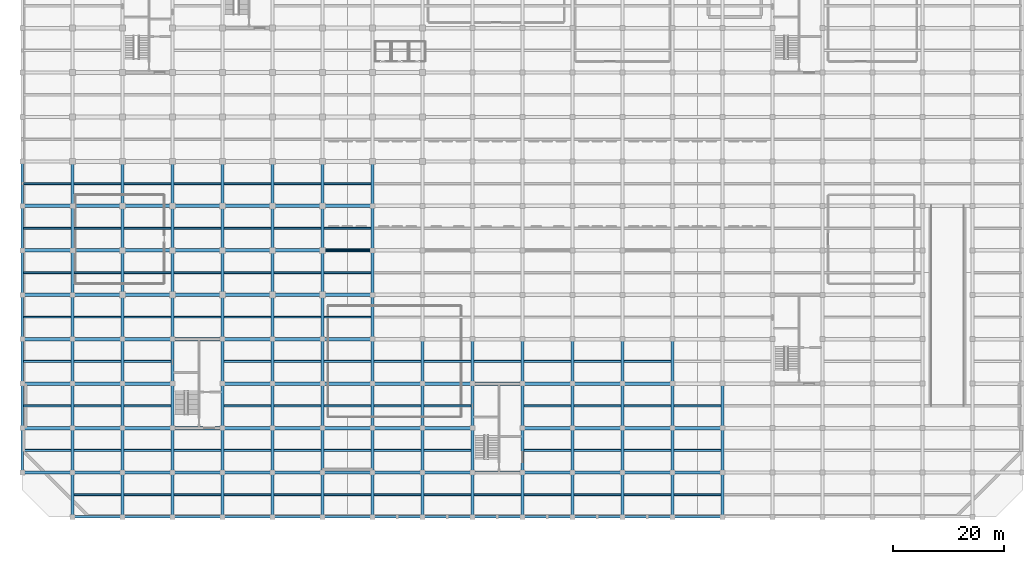
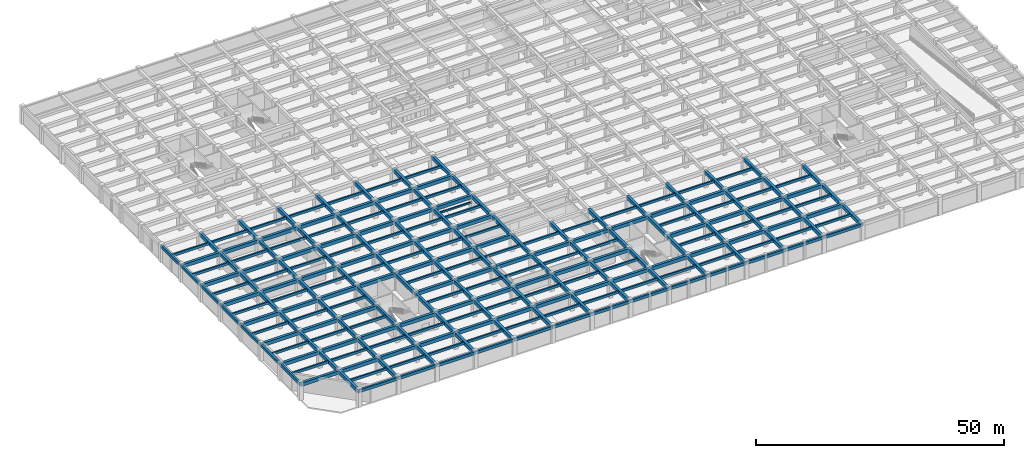
# One storey, part 4 of 26: 249 beams.
"""IFC4 building model written with IfcOpenShell, lengths in metres."""

from ifc_helpers import new_model, si_unit, direction, frame, origin, origin_2d, place, context, subcontext, project, spatial, rectangle, extrude, material, material_profile, profile_set, type_object, element, save


model = new_model("IFC4")

# Units and contexts
model_context = context("Model", 3, precision=1e-05, world=origin(), true_north=direction((0.0, 1.0)))
body_context = subcontext(model_context, "Body", "Model", "MODEL_VIEW")
ifc_project = project(units=[si_unit("LENGTHUNIT", "METRE"), si_unit("AREAUNIT", "SQUARE_METRE"), si_unit("VOLUMEUNIT", "CUBIC_METRE"), si_unit("PLANEANGLEUNIT", "RADIAN"), si_unit("MASSUNIT", "GRAM", prefix="KILO")], contexts=[model_context])

# Site, building, storey
site_placement = place(None, origin())
site = spatial("IfcSite", under=ifc_project, at=site_placement, CompositionType="ELEMENT")
building_placement = place(site_placement, origin())
building = spatial("IfcBuilding", under=site, at=building_placement, Name="Zaverband Oceanarium and Marine Research Institute", CompositionType="ELEMENT")
storey_placement = place(building_placement, frame((0.0, 0.0, -4.5)))
storey = spatial("IfcBuildingStorey", under=building, at=storey_placement, Name="B1", CompositionType="ELEMENT", Elevation=-4.5)

# Beams
ifc_material = material(Name="Concrete C40/50", Category="concrete")
ifc_material_profile_1 = material_profile(ifc_material, rectangle(XDim=0.60009765625, YDim=0.85009765625, at=origin_2d()), Name="RC600x850")
ifc_profile_set_1 = profile_set([ifc_material_profile_1], Name="Concrete C40/50")
beam_type_1 = type_object("IfcBeamType", Name="BM-600x850", PredefinedType="BEAM", material=ifc_profile_set_1)
for number, where, z_axis, x_axis, name in (
    (1, (0.0, 8.0, 3.72509765625), (1.0, 0.0, 0.0), (0.0, 1.0, 0.0), "Primary floor girder BM-600x850"),
    (2, (9.0, 8.0, 3.72509765625), (1.0, 0.0, 0.0), (0.0, 1.0, 0.0), "Primary floor girder BM-600x850"),
    (3, (18.0, 8.0, 3.72509765625), (1.0, 0.0, 0.0), (0.0, 1.0, 0.0), "Primary floor girder BM-600x850"),
    (4, (27.0, 8.0, 3.72509765625), (1.0, 0.0, 0.0), (0.0, 1.0, 0.0), "Primary floor girder BM-600x850"),
    (5, (36.0, 8.0, 3.72509765625), (1.0, 0.0, 0.0), (0.0, 1.0, 0.0), "Primary floor girder BM-600x850"),
    (6, (45.0, 8.0, 3.72509765625), (1.0, 0.0, 0.0), (0.0, 1.0, 0.0), "Primary floor girder BM-600x850"),
    (7, (54.0, 8.0, 3.72509765625), (1.0, 0.0, 0.0), (0.0, 1.0, 0.0), "Primary floor girder BM-600x850"),
    (8, (63.0, 8.0, 3.72509765625), (1.0, 0.0, 0.0), (0.0, 1.0, 0.0), "Primary floor girder BM-600x850"),
    (9, (72.0, 8.0, 3.72509765625), (1.0, 0.0, 0.0), (0.0, 1.0, 0.0), "Primary floor girder BM-600x850"),
    (10, (81.0, 8.0, 3.72509765625), (1.0, 0.0, 0.0), (0.0, 1.0, 0.0), "Primary floor girder BM-600x850"),
    (11, (90.0, 8.0, 3.72509765625), (1.0, 0.0, 0.0), (0.0, 1.0, 0.0), "Primary floor girder BM-600x850"),
    (12, (99.0, 8.0, 3.72509765625), (1.0, 0.0, 0.0), (0.0, 1.0, 0.0), "Primary floor girder BM-600x850"),
    (13, (108.0, 8.0, 3.72509765625), (1.0, 0.0, 0.0), (0.0, 1.0, 0.0), "Primary floor girder BM-600x850"),
    (14, (117.0, 8.0, 3.72509765625), (1.0, 0.0, 0.0), (0.0, 1.0, 0.0), "Primary floor girder BM-600x850"),
    (15, (0.0, 16.0, 3.72509765625), (1.0, 0.0, 0.0), (0.0, 1.0, 0.0), "Primary floor girder BM-600x850"),
    (16, (9.0, 16.0, 3.72509765625), (1.0, 0.0, 0.0), (0.0, 1.0, 0.0), "Primary floor girder BM-600x850"),
    (17, (18.0, 16.0, 3.72509765625), (1.0, 0.0, 0.0), (0.0, 1.0, 0.0), "Primary floor girder BM-600x850"),
    (18, (27.0, 16.0, 3.72509765625), (1.0, 0.0, 0.0), (0.0, 1.0, 0.0), "Primary floor girder BM-600x850"),
    (19, (36.0, 16.0, 3.72509765625), (1.0, 0.0, 0.0), (0.0, 1.0, 0.0), "Primary floor girder BM-600x850"),
    (20, (45.0, 16.0, 3.72509765625), (1.0, 0.0, 0.0), (0.0, 1.0, 0.0), "Primary floor girder BM-600x850"),
    (21, (54.0, 16.0, 3.72509765625), (1.0, 0.0, 0.0), (0.0, 1.0, 0.0), "Primary floor girder BM-600x850"),
    (22, (63.0, 16.0, 3.72509765625), (1.0, 0.0, 0.0), (0.0, 1.0, 0.0), "Primary floor girder BM-600x850"),
    (23, (72.0, 16.0, 3.72509765625), (1.0, 0.0, 0.0), (0.0, 1.0, 0.0), "Primary floor girder BM-600x850"),
    (24, (90.0, 16.0, 3.72509765625), (1.0, 0.0, 0.0), (0.0, 1.0, 0.0), "Primary floor girder BM-600x850"),
    (25, (99.0, 16.0, 3.72509765625), (1.0, 0.0, 0.0), (0.0, 1.0, 0.0), "Primary floor girder BM-600x850"),
    (26, (108.0, 16.0, 3.72509765625), (1.0, 0.0, 0.0), (0.0, 1.0, 0.0), "Primary floor girder BM-600x850"),
    (27, (117.0, 16.0, 3.72509765625), (1.0, 0.0, 0.0), (0.0, 1.0, 0.0), "Primary floor girder BM-600x850"),
    (28, (0.0, 24.0, 3.72509765625), (1.0, 0.0, 0.0), (0.0, 1.0, 0.0), "Primary floor girder BM-600x850"),
    (29, (9.0, 24.0, 3.72509765625), (1.0, 0.0, 0.0), (0.0, 1.0, 0.0), "Primary floor girder BM-600x850"),
    (30, (18.0, 24.0, 3.72509765625), (1.0, 0.0, 0.0), (0.0, 1.0, 0.0), "Primary floor girder BM-600x850"),
    (31, (36.0, 24.0, 3.72509765625), (1.0, 0.0, 0.0), (0.0, 1.0, 0.0), "Primary floor girder BM-600x850"),
    (32, (45.0, 24.0, 3.72509765625), (1.0, 0.0, 0.0), (0.0, 1.0, 0.0), "Primary floor girder BM-600x850"),
    (33, (54.0, 24.0, 3.72509765625), (1.0, 0.0, 0.0), (0.0, 1.0, 0.0), "Primary floor girder BM-600x850"),
    (34, (63.0, 24.0, 3.72509765625), (1.0, 0.0, 0.0), (0.0, 1.0, 0.0), "Primary floor girder BM-600x850"),
    (35, (72.0, 24.0, 3.72509765625), (1.0, 0.0, 0.0), (0.0, 1.0, 0.0), "Primary floor girder BM-600x850"),
    (36, (81.0, 24.0, 3.72509765625), (1.0, 0.0, 0.0), (0.0, 1.0, 0.0), "Primary floor girder BM-600x850"),
    (37, (90.0, 24.0, 3.72509765625), (1.0, 0.0, 0.0), (0.0, 1.0, 0.0), "Primary floor girder BM-600x850"),
    (38, (99.0, 24.0, 3.72509765625), (1.0, 0.0, 0.0), (0.0, 1.0, 0.0), "Primary floor girder BM-600x850"),
    (39, (108.0, 24.0, 3.72509765625), (1.0, 0.0, 0.0), (0.0, 1.0, 0.0), "Primary floor girder BM-600x850"),
    (40, (0.0, 32.0, 3.72509765625), (1.0, 0.0, 0.0), (0.0, 1.0, 0.0), "Primary floor girder BM-600x850"),
    (41, (9.0, 32.0, 3.72509765625), (1.0, 0.0, 0.0), (0.0, 1.0, 0.0), "Primary floor girder BM-600x850"),
    (42, (18.0, 32.0, 3.72509765625), (1.0, 0.0, 0.0), (0.0, 1.0, 0.0), "Primary floor girder BM-600x850"),
    (43, (27.0, 32.0, 3.72509765625), (1.0, 0.0, 0.0), (0.0, 1.0, 0.0), "Primary floor girder BM-600x850"),
    (44, (36.0, 32.0, 3.72509765625), (1.0, 0.0, 0.0), (0.0, 1.0, 0.0), "Primary floor girder BM-600x850"),
    (45, (45.0, 32.0, 3.72509765625), (1.0, 0.0, 0.0), (0.0, 1.0, 0.0), "Primary floor girder BM-600x850"),
    (46, (54.0, 32.0, 3.72509765625), (1.0, 0.0, 0.0), (0.0, 1.0, 0.0), "Primary floor girder BM-600x850"),
    (47, (0.0, 40.0, 3.72509765625), (1.0, 0.0, 0.0), (0.0, 1.0, 0.0), "Primary floor girder BM-600x850"),
    (48, (9.0, 40.0, 3.72509765625), (1.0, 0.0, 0.0), (0.0, 1.0, 0.0), "Primary floor girder BM-600x850"),
    (49, (18.0, 40.0, 3.72509765625), (1.0, 0.0, 0.0), (0.0, 1.0, 0.0), "Primary floor girder BM-600x850"),
    (50, (27.0, 40.0, 3.72509765625), (1.0, 0.0, 0.0), (0.0, 1.0, 0.0), "Primary floor girder BM-600x850"),
    (51, (36.0, 40.0, 3.72509765625), (1.0, 0.0, 0.0), (0.0, 1.0, 0.0), "Primary floor girder BM-600x850"),
    (52, (45.0, 40.0, 3.72509765625), (1.0, 0.0, 0.0), (0.0, 1.0, 0.0), "Primary floor girder BM-600x850"),
    (53, (54.0, 40.0, 3.72509765625), (1.0, 0.0, 0.0), (0.0, 1.0, 0.0), "Primary floor girder BM-600x850"),
    (54, (0.0, 48.0, 3.72509765625), (1.0, 0.0, 0.0), (0.0, 1.0, 0.0), "Primary floor girder BM-600x850"),
    (55, (9.0, 48.0, 3.72509765625), (1.0, 0.0, 0.0), (0.0, 1.0, 0.0), "Primary floor girder BM-600x850"),
    (56, (18.0, 48.0, 3.72509765625), (1.0, 0.0, 0.0), (0.0, 1.0, 0.0), "Primary floor girder BM-600x850"),
    (57, (27.0, 48.0, 3.72509765625), (1.0, 0.0, 0.0), (0.0, 1.0, 0.0), "Primary floor girder BM-600x850"),
    (58, (36.0, 48.0, 3.72509765625), (1.0, 0.0, 0.0), (0.0, 1.0, 0.0), "Primary floor girder BM-600x850"),
    (59, (45.0, 48.0, 3.72509765625), (1.0, 0.0, 0.0), (0.0, 1.0, 0.0), "Primary floor girder BM-600x850"),
    (60, (54.0, 48.0, 3.72509765625), (1.0, 0.0, 0.0), (0.0, 1.0, 0.0), "Primary floor girder BM-600x850"),
    (61, (0.0, 56.0, 3.72509765625), (1.0, 0.0, 0.0), (0.0, 1.0, 0.0), "Primary floor girder BM-600x850"),
    (62, (9.0, 56.0, 3.72509765625), (1.0, 0.0, 0.0), (0.0, 1.0, 0.0), "Primary floor girder BM-600x850"),
    (63, (18.0, 56.0, 3.72509765625), (1.0, 0.0, 0.0), (0.0, 1.0, 0.0), "Primary floor girder BM-600x850"),
    (64, (27.0, 56.0, 3.72509765625), (1.0, 0.0, 0.0), (0.0, 1.0, 0.0), "Primary floor girder BM-600x850"),
    (65, (36.0, 56.0, 3.72509765625), (1.0, 0.0, 0.0), (0.0, 1.0, 0.0), "Primary floor girder BM-600x850"),
    (66, (45.0, 56.0, 3.72509765625), (1.0, 0.0, 0.0), (0.0, 1.0, 0.0), "Primary floor girder BM-600x850"),
    (67, (54.0, 56.0, 3.72509765625), (1.0, 0.0, 0.0), (0.0, 1.0, 0.0), "Primary floor girder BM-600x850"),
):
    element("IfcBeam", number, at=place(storey_placement, frame(where, z_axis=z_axis, x_axis=x_axis)), inside=storey, type_object=beam_type_1, Name=name, PredefinedType="BEAM", context=body_context, shape_type="SweptSolid", body=[
        extrude(rectangle(XDim=0.60009765625, YDim=0.85009765625, at=origin_2d()), origin(), (0.0, 0.0, 1.0), 9.0),
    ])
for number, where, z_axis, x_axis, name in (
    (68, (9.0, 0.0, 3.72509765625), (0.0, 1.0, 0.0), (-1.0, 0.0, 0.0), "Primary floor girder BM-600x850"),
    (69, (9.0, 8.0, 3.72509765625), (0.0, 1.0, 0.0), (-1.0, 0.0, 0.0), "Primary floor girder BM-600x850"),
    (70, (9.0, 16.0, 3.72509765625), (0.0, 1.0, 0.0), (-1.0, 0.0, 0.0), "Primary floor girder BM-600x850"),
    (71, (9.0, 24.0, 3.72509765625), (0.0, 1.0, 0.0), (-1.0, 0.0, 0.0), "Primary floor girder BM-600x850"),
    (72, (9.0, 32.0, 3.72509765625), (0.0, 1.0, 0.0), (-1.0, 0.0, 0.0), "Primary floor girder BM-600x850"),
    (73, (9.0, 40.0, 3.72509765625), (0.0, 1.0, 0.0), (-1.0, 0.0, 0.0), "Primary floor girder BM-600x850"),
    (74, (9.0, 48.0, 3.72509765625), (0.0, 1.0, 0.0), (-1.0, 0.0, 0.0), "Primary floor girder BM-600x850"),
    (75, (9.0, 56.0, 3.72509765625), (0.0, 1.0, 0.0), (-1.0, 0.0, 0.0), "Primary floor girder BM-600x850"),
    (76, (18.0, 0.0, 3.72509765625), (0.0, 1.0, 0.0), (-1.0, 0.0, 0.0), "Primary floor girder BM-600x850"),
    (77, (18.0, 8.0, 3.72509765625), (0.0, 1.0, 0.0), (-1.0, 0.0, 0.0), "Primary floor girder BM-600x850"),
    (78, (18.0, 16.0, 3.72509765625), (0.0, 1.0, 0.0), (-1.0, 0.0, 0.0), "Primary floor girder BM-600x850"),
    (79, (18.0, 24.0, 3.72509765625), (0.0, 1.0, 0.0), (-1.0, 0.0, 0.0), "Primary floor girder BM-600x850"),
    (80, (18.0, 32.0, 3.72509765625), (0.0, 1.0, 0.0), (-1.0, 0.0, 0.0), "Primary floor girder BM-600x850"),
    (81, (18.0, 40.0, 3.72509765625), (0.0, 1.0, 0.0), (-1.0, 0.0, 0.0), "Primary floor girder BM-600x850"),
    (82, (18.0, 48.0, 3.72509765625), (0.0, 1.0, 0.0), (-1.0, 0.0, 0.0), "Primary floor girder BM-600x850"),
    (83, (18.0, 56.0, 3.72509765625), (0.0, 1.0, 0.0), (-1.0, 0.0, 0.0), "Primary floor girder BM-600x850"),
    (84, (27.0, 0.0, 3.72509765625), (0.0, 1.0, 0.0), (-1.0, 0.0, 0.0), "Primary floor girder BM-600x850"),
    (85, (27.0, 8.0, 3.72509765625), (0.0, 1.0, 0.0), (-1.0, 0.0, 0.0), "Primary floor girder BM-600x850"),
    (86, (27.0, 16.0, 3.72509765625), (0.0, 1.0, 0.0), (-1.0, 0.0, 0.0), "Primary floor girder BM-600x850"),
    (87, (27.0, 24.0, 3.72509765625), (0.0, 1.0, 0.0), (-1.0, 0.0, 0.0), "Primary floor girder BM-600x850"),
    (88, (27.0, 32.0, 3.72509765625), (0.0, 1.0, 0.0), (-1.0, 0.0, 0.0), "Primary floor girder BM-600x850"),
    (89, (27.0, 40.0, 3.72509765625), (0.0, 1.0, 0.0), (-1.0, 0.0, 0.0), "Primary floor girder BM-600x850"),
    (90, (27.0, 48.0, 3.72509765625), (0.0, 1.0, 0.0), (-1.0, 0.0, 0.0), "Primary floor girder BM-600x850"),
    (91, (27.0, 56.0, 3.72509765625), (0.0, 1.0, 0.0), (-1.0, 0.0, 0.0), "Primary floor girder BM-600x850"),
    (92, (36.0, 0.0, 3.72509765625), (0.0, 1.0, 0.0), (-1.0, 0.0, 0.0), "Primary floor girder BM-600x850"),
    (93, (36.0, 8.0, 3.72509765625), (0.0, 1.0, 0.0), (-1.0, 0.0, 0.0), "Primary floor girder BM-600x850"),
    (94, (36.0, 16.0, 3.72509765625), (0.0, 1.0, 0.0), (-1.0, 0.0, 0.0), "Primary floor girder BM-600x850"),
    (95, (36.0, 24.0, 3.72509765625), (0.0, 1.0, 0.0), (-1.0, 0.0, 0.0), "Primary floor girder BM-600x850"),
    (96, (36.0, 32.0, 3.72509765625), (0.0, 1.0, 0.0), (-1.0, 0.0, 0.0), "Primary floor girder BM-600x850"),
    (97, (36.0, 40.0, 3.72509765625), (0.0, 1.0, 0.0), (-1.0, 0.0, 0.0), "Primary floor girder BM-600x850"),
    (98, (36.0, 48.0, 3.72509765625), (0.0, 1.0, 0.0), (-1.0, 0.0, 0.0), "Primary floor girder BM-600x850"),
    (99, (36.0, 56.0, 3.72509765625), (0.0, 1.0, 0.0), (-1.0, 0.0, 0.0), "Primary floor girder BM-600x850"),
    (100, (45.0, 0.0, 3.72509765625), (0.0, 1.0, 0.0), (-1.0, 0.0, 0.0), "Primary floor girder BM-600x850"),
    (101, (45.0, 8.0, 3.72509765625), (0.0, 1.0, 0.0), (-1.0, 0.0, 0.0), "Primary floor girder BM-600x850"),
    (102, (45.0, 16.0, 3.72509765625), (0.0, 1.0, 0.0), (-1.0, 0.0, 0.0), "Primary floor girder BM-600x850"),
    (103, (45.0, 24.0, 3.72509765625), (0.0, 1.0, 0.0), (-1.0, 0.0, 0.0), "Primary floor girder BM-600x850"),
    (104, (45.0, 32.0, 3.72509765625), (0.0, 1.0, 0.0), (-1.0, 0.0, 0.0), "Primary floor girder BM-600x850"),
    (105, (45.0, 40.0, 3.72509765625), (0.0, 1.0, 0.0), (-1.0, 0.0, 0.0), "Primary floor girder BM-600x850"),
    (106, (45.0, 48.0, 3.72509765625), (0.0, 1.0, 0.0), (-1.0, 0.0, 0.0), "Primary floor girder BM-600x850"),
    (107, (45.0, 56.0, 3.72509765625), (0.0, 1.0, 0.0), (-1.0, 0.0, 0.0), "Primary floor girder BM-600x850"),
    (108, (54.0, 0.0, 3.72509765625), (0.0, 1.0, 0.0), (-1.0, 0.0, 0.0), "Primary floor girder BM-600x850"),
    (109, (54.0, 8.0, 3.72509765625), (0.0, 1.0, 0.0), (-1.0, 0.0, 0.0), "Primary floor girder BM-600x850"),
    (110, (54.0, 16.0, 3.72509765625), (0.0, 1.0, 0.0), (-1.0, 0.0, 0.0), "Primary floor girder BM-600x850"),
    (111, (54.0, 24.0, 3.72509765625), (0.0, 1.0, 0.0), (-1.0, 0.0, 0.0), "Primary floor girder BM-600x850"),
    (112, (54.0, 32.0, 3.72509765625), (0.0, 1.0, 0.0), (-1.0, 0.0, 0.0), "Primary floor girder BM-600x850"),
    (113, (54.0, 40.0, 3.72509765625), (0.0, 1.0, 0.0), (-1.0, 0.0, 0.0), "Primary floor girder BM-600x850"),
    (114, (54.0, 48.0, 3.72509765625), (0.0, 1.0, 0.0), (-1.0, 0.0, 0.0), "Primary floor girder BM-600x850"),
    (115, (54.0, 56.0, 3.72509765625), (0.0, 1.0, 0.0), (-1.0, 0.0, 0.0), "Primary floor girder BM-600x850"),
    (116, (63.0, 0.0, 3.72509765625), (0.0, 1.0, 0.0), (-1.0, 0.0, 0.0), "Primary floor girder BM-600x850"),
    (117, (63.0, 8.0, 3.72509765625), (0.0, 1.0, 0.0), (-1.0, 0.0, 0.0), "Primary floor girder BM-600x850"),
    (118, (63.0, 16.0, 3.72509765625), (0.0, 1.0, 0.0), (-1.0, 0.0, 0.0), "Primary floor girder BM-600x850"),
    (119, (63.0, 24.0, 3.72509765625), (0.0, 1.0, 0.0), (-1.0, 0.0, 0.0), "Primary floor girder BM-600x850"),
    (120, (63.0, 32.0, 3.72509765625), (0.0, 1.0, 0.0), (-1.0, 0.0, 0.0), "Primary floor girder BM-600x850"),
    (121, (63.0, 40.0, 3.72509765625), (0.0, 1.0, 0.0), (-1.0, 0.0, 0.0), "Primary floor girder BM-600x850"),
    (122, (63.0, 48.0, 3.72509765625), (0.0, 1.0, 0.0), (-1.0, 0.0, 0.0), "Primary floor girder BM-600x850"),
    (123, (63.0, 56.0, 3.72509765625), (0.0, 1.0, 0.0), (-1.0, 0.0, 0.0), "Primary floor girder BM-600x850"),
    (124, (72.0, 0.0, 3.72509765625), (0.0, 1.0, 0.0), (-1.0, 0.0, 0.0), "Primary floor girder BM-600x850"),
    (125, (72.0, 8.0, 3.72509765625), (0.0, 1.0, 0.0), (-1.0, 0.0, 0.0), "Primary floor girder BM-600x850"),
    (126, (72.0, 16.0, 3.72509765625), (0.0, 1.0, 0.0), (-1.0, 0.0, 0.0), "Primary floor girder BM-600x850"),
    (127, (72.0, 24.0, 3.72509765625), (0.0, 1.0, 0.0), (-1.0, 0.0, 0.0), "Primary floor girder BM-600x850"),
    (128, (81.0, 0.0, 3.72509765625), (0.0, 1.0, 0.0), (-1.0, 0.0, 0.0), "Primary floor girder BM-600x850"),
    (129, (81.0, 8.0, 3.72509765625), (0.0, 1.0, 0.0), (-1.0, 0.0, 0.0), "Primary floor girder BM-600x850"),
    (130, (81.0, 16.0, 3.72509765625), (0.0, 1.0, 0.0), (-1.0, 0.0, 0.0), "Primary floor girder BM-600x850"),
    (131, (81.0, 24.0, 3.72509765625), (0.0, 1.0, 0.0), (-1.0, 0.0, 0.0), "Primary floor girder BM-600x850"),
    (132, (90.0, 0.0, 3.72509765625), (0.0, 1.0, 0.0), (-1.0, 0.0, 0.0), "Primary floor girder BM-600x850"),
    (133, (90.0, 8.0, 3.72509765625), (0.0, 1.0, 0.0), (-1.0, 0.0, 0.0), "Primary floor girder BM-600x850"),
    (134, (90.0, 16.0, 3.72509765625), (0.0, 1.0, 0.0), (-1.0, 0.0, 0.0), "Primary floor girder BM-600x850"),
    (135, (90.0, 24.0, 3.72509765625), (0.0, 1.0, 0.0), (-1.0, 0.0, 0.0), "Primary floor girder BM-600x850"),
    (136, (99.0, 0.0, 3.72509765625), (0.0, 1.0, 0.0), (-1.0, 0.0, 0.0), "Primary floor girder BM-600x850"),
    (137, (99.0, 8.0, 3.72509765625), (0.0, 1.0, 0.0), (-1.0, 0.0, 0.0), "Primary floor girder BM-600x850"),
    (138, (99.0, 16.0, 3.72509765625), (0.0, 1.0, 0.0), (-1.0, 0.0, 0.0), "Primary floor girder BM-600x850"),
    (139, (99.0, 24.0, 3.72509765625), (0.0, 1.0, 0.0), (-1.0, 0.0, 0.0), "Primary floor girder BM-600x850"),
    (140, (108.0, 0.0, 3.72509765625), (0.0, 1.0, 0.0), (-1.0, 0.0, 0.0), "Primary floor girder BM-600x850"),
    (141, (108.0, 8.0, 3.72509765625), (0.0, 1.0, 0.0), (-1.0, 0.0, 0.0), "Primary floor girder BM-600x850"),
    (142, (108.0, 16.0, 3.72509765625), (0.0, 1.0, 0.0), (-1.0, 0.0, 0.0), "Primary floor girder BM-600x850"),
    (143, (108.0, 24.0, 3.72509765625), (0.0, 1.0, 0.0), (-1.0, 0.0, 0.0), "Primary floor girder BM-600x850"),
    (144, (117.0, 0.0, 3.72509765625), (0.0, 1.0, 0.0), (-1.0, 0.0, 0.0), "Primary floor girder BM-600x850"),
    (145, (117.0, 8.0, 3.72509765625), (0.0, 1.0, 0.0), (-1.0, 0.0, 0.0), "Primary floor girder BM-600x850"),
    (146, (117.0, 16.0, 3.72509765625), (0.0, 1.0, 0.0), (-1.0, 0.0, 0.0), "Primary floor girder BM-600x850"),
    (147, (117.0, 24.0, 3.72509765625), (0.0, 1.0, 0.0), (-1.0, 0.0, 0.0), "Primary floor girder BM-600x850"),
    (148, (126.0, 0.0, 3.72509765625), (0.0, 1.0, 0.0), (-1.0, 0.0, 0.0), "Primary floor girder BM-600x850"),
    (149, (126.0, 8.0, 3.72509765625), (0.0, 1.0, 0.0), (-1.0, 0.0, 0.0), "Primary floor girder BM-600x850"),
    (150, (126.0, 16.0, 3.72509765625), (0.0, 1.0, 0.0), (-1.0, 0.0, 0.0), "Primary floor girder BM-600x850"),
):
    element("IfcBeam", number, at=place(storey_placement, frame(where, z_axis=z_axis, x_axis=x_axis)), inside=storey, type_object=beam_type_1, Name=name, PredefinedType="BEAM", context=body_context, shape_type="SweptSolid", body=[
        extrude(rectangle(XDim=0.60009765625, YDim=0.85009765625, at=origin_2d()), origin(), (0.0, 0.0, 1.0), 8.0),
    ])
ifc_material_profile_2 = material_profile(ifc_material, rectangle(XDim=0.35009765625, YDim=0.60009765625, at=origin_2d()), Name="RC350x600")
ifc_profile_set_2 = profile_set([ifc_material_profile_2], Name="Concrete C40/50")
beam_type_2 = type_object("IfcBeamType", Name="JST-350x600", PredefinedType="JOIST", material=ifc_profile_set_2)
for number, where, z_axis, x_axis, name in (
    (151, (0.22509765625, 12.0, 3.85009765625), (1.0, 0.0, 0.0), (0.0, 1.0, 0.0), "Secondary floor joist JST-350x600"),
    (152, (0.22509765625, 20.0, 3.85009765625), (1.0, 0.0, 0.0), (0.0, 1.0, 0.0), "Secondary floor joist JST-350x600"),
    (153, (0.22509765625, 28.0, 3.85009765625), (1.0, 0.0, 0.0), (0.0, 1.0, 0.0), "Secondary floor joist JST-350x600"),
    (154, (0.22509765625, 36.0, 3.85009765625), (1.0, 0.0, 0.0), (0.0, 1.0, 0.0), "Secondary floor joist JST-350x600"),
    (155, (0.22509765625, 44.0, 3.85009765625), (1.0, 0.0, 0.0), (0.0, 1.0, 0.0), "Secondary floor joist JST-350x600"),
    (156, (0.22509765625, 52.0, 3.85009765625), (1.0, 0.0, 0.0), (0.0, 1.0, 0.0), "Secondary floor joist JST-350x600"),
    (157, (0.22509765625, 60.0, 3.85009765625), (1.0, 0.0, 0.0), (0.0, 1.0, 0.0), "Secondary floor joist JST-350x600"),
):
    element("IfcBeam", number, at=place(storey_placement, frame(where, z_axis=z_axis, x_axis=x_axis)), inside=storey, type_object=beam_type_2, Name=name, PredefinedType="JOIST", context=body_context, shape_type="SweptSolid", body=[
        extrude(rectangle(XDim=0.35009765625, YDim=0.60009765625, at=origin_2d()), origin(), (0.0, 0.0, 1.0), 8.474853515625),
    ])
for number, where, z_axis, x_axis, name in (
    (158, (9.300048828125, 4.0, 3.85009765625), (1.0, 0.0, 0.0), (0.0, 1.0, 0.0), "Secondary floor joist JST-350x600"),
    (159, (9.300048828125, 12.0, 3.85009765625), (1.0, 0.0, 0.0), (0.0, 1.0, 0.0), "Secondary floor joist JST-350x600"),
    (160, (9.300048828125, 20.0, 3.85009765625), (1.0, 0.0, 0.0), (0.0, 1.0, 0.0), "Secondary floor joist JST-350x600"),
    (161, (9.300048828125, 28.0, 3.85009765625), (1.0, 0.0, 0.0), (0.0, 1.0, 0.0), "Secondary floor joist JST-350x600"),
    (162, (9.300048828125, 36.0, 3.85009765625), (1.0, 0.0, 0.0), (0.0, 1.0, 0.0), "Secondary floor joist JST-350x600"),
    (163, (9.300048828125, 44.0, 3.85009765625), (1.0, 0.0, 0.0), (0.0, 1.0, 0.0), "Secondary floor joist JST-350x600"),
    (164, (9.300048828125, 52.0, 3.85009765625), (1.0, 0.0, 0.0), (0.0, 1.0, 0.0), "Secondary floor joist JST-350x600"),
    (165, (9.300048828125, 60.0, 3.85009765625), (1.0, 0.0, 0.0), (0.0, 1.0, 0.0), "Secondary floor joist JST-350x600"),
    (166, (18.300048828125, 4.0, 3.85009765625), (1.0, 0.0, 0.0), (0.0, 1.0, 0.0), "Secondary floor joist JST-350x600"),
    (167, (18.300048828125, 12.0, 3.85009765625), (1.0, 0.0, 0.0), (0.0, 1.0, 0.0), "Secondary floor joist JST-350x600"),
    (168, (18.300048828125, 20.0, 3.85009765625), (1.0, 0.0, 0.0), (0.0, 1.0, 0.0), "Secondary floor joist JST-350x600"),
    (169, (18.300048828125, 28.0, 3.85009765625), (1.0, 0.0, 0.0), (0.0, 1.0, 0.0), "Secondary floor joist JST-350x600"),
    (170, (18.300048828125, 36.0, 3.85009765625), (1.0, 0.0, 0.0), (0.0, 1.0, 0.0), "Secondary floor joist JST-350x600"),
    (171, (18.300048828125, 44.0, 3.85009765625), (1.0, 0.0, 0.0), (0.0, 1.0, 0.0), "Secondary floor joist JST-350x600"),
    (172, (18.300048828125, 52.0, 3.85009765625), (1.0, 0.0, 0.0), (0.0, 1.0, 0.0), "Secondary floor joist JST-350x600"),
    (173, (18.300048828125, 60.0, 3.85009765625), (1.0, 0.0, 0.0), (0.0, 1.0, 0.0), "Secondary floor joist JST-350x600"),
    (174, (27.300048828125, 4.0, 3.85009765625), (1.0, 0.0, 0.0), (0.0, 1.0, 0.0), "Secondary floor joist JST-350x600"),
    (175, (27.300048828125, 12.0, 3.85009765625), (1.0, 0.0, 0.0), (0.0, 1.0, 0.0), "Secondary floor joist JST-350x600"),
    (176, (27.300048828125, 36.0, 3.85009765625), (1.0, 0.0, 0.0), (0.0, 1.0, 0.0), "Secondary floor joist JST-350x600"),
    (177, (27.300048828125, 44.0, 3.85009765625), (1.0, 0.0, 0.0), (0.0, 1.0, 0.0), "Secondary floor joist JST-350x600"),
    (178, (27.300048828125, 52.0, 3.85009765625), (1.0, 0.0, 0.0), (0.0, 1.0, 0.0), "Secondary floor joist JST-350x600"),
    (179, (27.300048828125, 60.0, 3.85009765625), (1.0, 0.0, 0.0), (0.0, 1.0, 0.0), "Secondary floor joist JST-350x600"),
    (180, (36.300048828125, 4.0, 3.85009765625), (1.0, 0.0, 0.0), (0.0, 1.0, 0.0), "Secondary floor joist JST-350x600"),
    (181, (36.300048828125, 12.0, 3.85009765625), (1.0, 0.0, 0.0), (0.0, 1.0, 0.0), "Secondary floor joist JST-350x600"),
    (182, (36.300048828125, 20.0, 3.85009765625), (1.0, 0.0, 0.0), (0.0, 1.0, 0.0), "Secondary floor joist JST-350x600"),
    (183, (36.300048828125, 28.0, 3.85009765625), (1.0, 0.0, 0.0), (0.0, 1.0, 0.0), "Secondary floor joist JST-350x600"),
    (184, (36.300048828125, 36.0, 3.85009765625), (1.0, 0.0, 0.0), (0.0, 1.0, 0.0), "Secondary floor joist JST-350x600"),
    (185, (36.300048828125, 44.0, 3.85009765625), (1.0, 0.0, 0.0), (0.0, 1.0, 0.0), "Secondary floor joist JST-350x600"),
    (186, (36.300048828125, 52.0, 3.85009765625), (1.0, 0.0, 0.0), (0.0, 1.0, 0.0), "Secondary floor joist JST-350x600"),
    (187, (36.300048828125, 60.0, 3.85009765625), (1.0, 0.0, 0.0), (0.0, 1.0, 0.0), "Secondary floor joist JST-350x600"),
    (188, (45.300048828125, 4.0, 3.85009765625), (1.0, 0.0, 0.0), (0.0, 1.0, 0.0), "Secondary floor joist JST-350x600"),
    (189, (45.300048828125, 12.0, 3.85009765625), (1.0, 0.0, 0.0), (0.0, 1.0, 0.0), "Secondary floor joist JST-350x600"),
    (190, (45.300048828125, 20.0, 3.85009765625), (1.0, 0.0, 0.0), (0.0, 1.0, 0.0), "Secondary floor joist JST-350x600"),
    (191, (45.300048828125, 28.0, 3.85009765625), (1.0, 0.0, 0.0), (0.0, 1.0, 0.0), "Secondary floor joist JST-350x600"),
    (192, (45.300048828125, 36.0, 3.85009765625), (1.0, 0.0, 0.0), (0.0, 1.0, 0.0), "Secondary floor joist JST-350x600"),
    (193, (45.300048828125, 44.0, 3.85009765625), (1.0, 0.0, 0.0), (0.0, 1.0, 0.0), "Secondary floor joist JST-350x600"),
    (194, (45.300048828125, 52.0, 3.85009765625), (1.0, 0.0, 0.0), (0.0, 1.0, 0.0), "Secondary floor joist JST-350x600"),
    (195, (45.300048828125, 60.0, 3.85009765625), (1.0, 0.0, 0.0), (0.0, 1.0, 0.0), "Secondary floor joist JST-350x600"),
    (196, (54.300048828125, 4.0, 3.85009765625), (1.0, 0.0, 0.0), (0.0, 1.0, 0.0), "Secondary floor joist JST-350x600"),
    (197, (54.300048828125, 12.0, 3.85009765625), (1.0, 0.0, 0.0), (0.0, 1.0, 0.0), "Secondary floor joist JST-350x600"),
    (198, (54.300048828125, 20.0, 3.85009765625), (1.0, 0.0, 0.0), (0.0, 1.0, 0.0), "Secondary floor joist JST-350x600"),
    (199, (54.300048828125, 28.0, 3.85009765625), (1.0, 0.0, 0.0), (0.0, 1.0, 0.0), "Secondary floor joist JST-350x600"),
    (200, (54.300048828125, 36.0, 3.85009765625), (1.0, 0.0, 0.0), (0.0, 1.0, 0.0), "Secondary floor joist JST-350x600"),
    (201, (54.300048828125, 44.0, 3.85009765625), (1.0, 0.0, 0.0), (0.0, 1.0, 0.0), "Secondary floor joist JST-350x600"),
    (202, (54.300048828125, 52.0, 3.85009765625), (1.0, 0.0, 0.0), (0.0, 1.0, 0.0), "Secondary floor joist JST-350x600"),
    (203, (54.300048828125, 60.0, 3.85009765625), (1.0, 0.0, 0.0), (0.0, 1.0, 0.0), "Secondary floor joist JST-350x600"),
    (204, (63.300048828125, 4.0, 3.85009765625), (1.0, 0.0, 0.0), (0.0, 1.0, 0.0), "Secondary floor joist JST-350x600"),
    (205, (63.300048828125, 12.0, 3.85009765625), (1.0, 0.0, 0.0), (0.0, 1.0, 0.0), "Secondary floor joist JST-350x600"),
    (206, (63.300048828125, 20.0, 3.85009765625), (1.0, 0.0, 0.0), (0.0, 1.0, 0.0), "Secondary floor joist JST-350x600"),
    (207, (63.300048828125, 28.0, 3.85009765625), (1.0, 0.0, 0.0), (0.0, 1.0, 0.0), "Secondary floor joist JST-350x600"),
    (208, (72.300048828125, 4.0, 3.85009765625), (1.0, 0.0, 0.0), (0.0, 1.0, 0.0), "Secondary floor joist JST-350x600"),
    (209, (72.300048828125, 12.0, 3.85009765625), (1.0, 0.0, 0.0), (0.0, 1.0, 0.0), "Secondary floor joist JST-350x600"),
    (210, (72.300048828125, 20.0, 3.85009765625), (1.0, 0.0, 0.0), (0.0, 1.0, 0.0), "Secondary floor joist JST-350x600"),
    (211, (72.300048828125, 28.0, 3.85009765625), (1.0, 0.0, 0.0), (0.0, 1.0, 0.0), "Secondary floor joist JST-350x600"),
    (212, (81.300048828125, 4.0, 3.85009765625), (1.0, 0.0, 0.0), (0.0, 1.0, 0.0), "Secondary floor joist JST-350x600"),
    (213, (81.300048828125, 28.0, 3.85009765625), (1.0, 0.0, 0.0), (0.0, 1.0, 0.0), "Secondary floor joist JST-350x600"),
    (214, (90.300048828125, 4.0, 3.85009765625), (1.0, 0.0, 0.0), (0.0, 1.0, 0.0), "Secondary floor joist JST-350x600"),
    (215, (90.300048828125, 12.0, 3.85009765625), (1.0, 0.0, 0.0), (0.0, 1.0, 0.0), "Secondary floor joist JST-350x600"),
    (216, (90.300048828125, 20.0, 3.85009765625), (1.0, 0.0, 0.0), (0.0, 1.0, 0.0), "Secondary floor joist JST-350x600"),
    (217, (90.300048828125, 28.0, 3.85009765625), (1.0, 0.0, 0.0), (0.0, 1.0, 0.0), "Secondary floor joist JST-350x600"),
    (218, (99.300048828125, 4.0, 3.85009765625), (1.0, 0.0, 0.0), (0.0, 1.0, 0.0), "Secondary floor joist JST-350x600"),
    (219, (99.300048828125, 12.0, 3.85009765625), (1.0, 0.0, 0.0), (0.0, 1.0, 0.0), "Secondary floor joist JST-350x600"),
    (220, (99.300048828125, 20.0, 3.85009765625), (1.0, 0.0, 0.0), (0.0, 1.0, 0.0), "Secondary floor joist JST-350x600"),
    (221, (99.300048828125, 28.0, 3.85009765625), (1.0, 0.0, 0.0), (0.0, 1.0, 0.0), "Secondary floor joist JST-350x600"),
    (222, (108.300048828125, 4.0, 3.85009765625), (1.0, 0.0, 0.0), (0.0, 1.0, 0.0), "Secondary floor joist JST-350x600"),
    (223, (108.300048828125, 12.0, 3.85009765625), (1.0, 0.0, 0.0), (0.0, 1.0, 0.0), "Secondary floor joist JST-350x600"),
    (224, (108.300048828125, 20.0, 3.85009765625), (1.0, 0.0, 0.0), (0.0, 1.0, 0.0), "Secondary floor joist JST-350x600"),
    (225, (108.300048828125, 28.0, 3.85009765625), (1.0, 0.0, 0.0), (0.0, 1.0, 0.0), "Secondary floor joist JST-350x600"),
    (226, (117.300048828125, 4.0, 3.85009765625), (1.0, 0.0, 0.0), (0.0, 1.0, 0.0), "Secondary floor joist JST-350x600"),
    (227, (117.300048828125, 12.0, 3.85009765625), (1.0, 0.0, 0.0), (0.0, 1.0, 0.0), "Secondary floor joist JST-350x600"),
    (228, (117.300048828125, 20.0, 3.85009765625), (1.0, 0.0, 0.0), (0.0, 1.0, 0.0), "Secondary floor joist JST-350x600"),
):
    element("IfcBeam", number, at=place(storey_placement, frame(where, z_axis=z_axis, x_axis=x_axis)), inside=storey, type_object=beam_type_2, Name=name, PredefinedType="JOIST", context=body_context, shape_type="SweptSolid", body=[
        extrude(rectangle(XDim=0.35009765625, YDim=0.60009765625, at=origin_2d()), origin(), (0.0, 0.0, 1.0), 8.39990234375),
    ])
ifc_material_profile_3 = material_profile(ifc_material, rectangle(XDim=0.300048828125, YDim=0.39990234375, at=origin_2d()), Name="RC300x400")
ifc_profile_set_3 = profile_set([ifc_material_profile_3], Name="Concrete C40/50")
beam_type_3 = type_object("IfcBeamType", Name="LNT-300x400", PredefinedType="LINTEL", material=ifc_profile_set_3)
beam_placement = place(storey_placement, frame((54.0, 48.0, 2.25), z_axis=(1.0, 0.0, 0.0), x_axis=(0.0, 1.0, 0.0)))
element("IfcBeam", 229, at=beam_placement, inside=storey, type_object=beam_type_3, Name="Opening lintel beam LNT-300x400", PredefinedType="LINTEL", context=body_context, shape_type="SweptSolid", body=[
    extrude(rectangle(XDim=0.300048828125, YDim=0.39990234375, at=origin_2d()), origin(), (0.0, 0.0, 1.0), 9.0),
])
ifc_material_profile_4 = material_profile(ifc_material, rectangle(XDim=0.449951171875, YDim=0.699951171875, at=origin_2d()), Name="RC450x700")
ifc_profile_set_4 = profile_set([ifc_material_profile_4], Name="Concrete C40/50")
beam_type_4 = type_object("IfcBeamType", Name="SPN-450x700", PredefinedType="SPANDREL", material=ifc_profile_set_4)
for number, where, z_axis, x_axis, name in (
    (230, (9.0, 0.0, 3.800048828125), (1.0, 0.0, 0.0), (0.0, 1.0, 0.0), "Perimeter spandrel beam SPN-450x700"),
    (231, (18.0, 0.0, 3.800048828125), (1.0, 0.0, 0.0), (0.0, 1.0, 0.0), "Perimeter spandrel beam SPN-450x700"),
    (232, (27.0, 0.0, 3.800048828125), (1.0, 0.0, 0.0), (0.0, 1.0, 0.0), "Perimeter spandrel beam SPN-450x700"),
    (233, (36.0, 0.0, 3.800048828125), (1.0, 0.0, 0.0), (0.0, 1.0, 0.0), "Perimeter spandrel beam SPN-450x700"),
    (234, (45.0, 0.0, 3.800048828125), (1.0, 0.0, 0.0), (0.0, 1.0, 0.0), "Perimeter spandrel beam SPN-450x700"),
    (235, (54.0, 0.0, 3.800048828125), (1.0, 0.0, 0.0), (0.0, 1.0, 0.0), "Perimeter spandrel beam SPN-450x700"),
    (236, (63.0, 0.0, 3.800048828125), (1.0, 0.0, 0.0), (0.0, 1.0, 0.0), "Perimeter spandrel beam SPN-450x700"),
    (237, (72.0, 0.0, 3.800048828125), (1.0, 0.0, 0.0), (0.0, 1.0, 0.0), "Perimeter spandrel beam SPN-450x700"),
    (238, (81.0, 0.0, 3.800048828125), (1.0, 0.0, 0.0), (0.0, 1.0, 0.0), "Perimeter spandrel beam SPN-450x700"),
    (239, (90.0, 0.0, 3.800048828125), (1.0, 0.0, 0.0), (0.0, 1.0, 0.0), "Perimeter spandrel beam SPN-450x700"),
    (240, (99.0, 0.0, 3.800048828125), (1.0, 0.0, 0.0), (0.0, 1.0, 0.0), "Perimeter spandrel beam SPN-450x700"),
    (241, (108.0, 0.0, 3.800048828125), (1.0, 0.0, 0.0), (0.0, 1.0, 0.0), "Perimeter spandrel beam SPN-450x700"),
    (242, (117.0, 0.0, 3.800048828125), (1.0, 0.0, 0.0), (0.0, 1.0, 0.0), "Perimeter spandrel beam SPN-450x700"),
):
    element("IfcBeam", number, at=place(storey_placement, frame(where, z_axis=z_axis, x_axis=x_axis)), inside=storey, type_object=beam_type_4, Name=name, PredefinedType="SPANDREL", context=body_context, shape_type="SweptSolid", body=[
        extrude(rectangle(XDim=0.449951171875, YDim=0.699951171875, at=origin_2d()), origin(), (0.0, 0.0, 1.0), 9.0),
    ])
for number, where, z_axis, x_axis, name in (
    (243, (0.0, 8.0, 3.800048828125), (0.0, 1.0, 0.0), (-1.0, 0.0, 0.0), "Perimeter spandrel beam SPN-450x700"),
    (244, (0.0, 16.0, 3.800048828125), (0.0, 1.0, 0.0), (-1.0, 0.0, 0.0), "Perimeter spandrel beam SPN-450x700"),
    (245, (0.0, 24.0, 3.800048828125), (0.0, 1.0, 0.0), (-1.0, 0.0, 0.0), "Perimeter spandrel beam SPN-450x700"),
    (246, (0.0, 32.0, 3.800048828125), (0.0, 1.0, 0.0), (-1.0, 0.0, 0.0), "Perimeter spandrel beam SPN-450x700"),
    (247, (0.0, 40.0, 3.800048828125), (0.0, 1.0, 0.0), (-1.0, 0.0, 0.0), "Perimeter spandrel beam SPN-450x700"),
    (248, (0.0, 48.0, 3.800048828125), (0.0, 1.0, 0.0), (-1.0, 0.0, 0.0), "Perimeter spandrel beam SPN-450x700"),
    (249, (0.0, 56.0, 3.800048828125), (0.0, 1.0, 0.0), (-1.0, 0.0, 0.0), "Perimeter spandrel beam SPN-450x700"),
):
    element("IfcBeam", number, at=place(storey_placement, frame(where, z_axis=z_axis, x_axis=x_axis)), inside=storey, type_object=beam_type_4, Name=name, PredefinedType="SPANDREL", context=body_context, shape_type="SweptSolid", body=[
        extrude(rectangle(XDim=0.449951171875, YDim=0.699951171875, at=origin_2d()), origin(), (0.0, 0.0, 1.0), 8.0),
    ])

save(model, "model.ifc")
